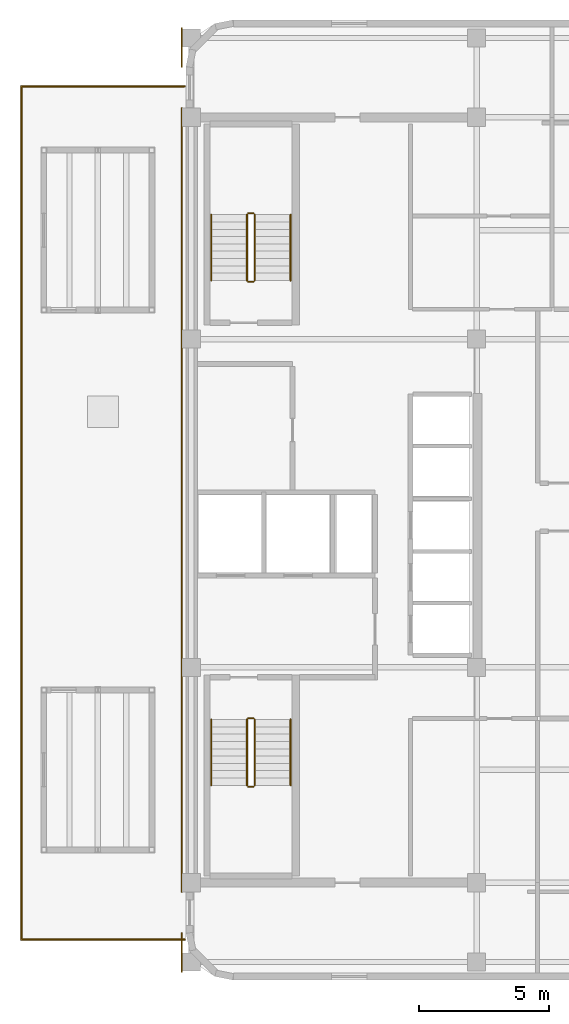
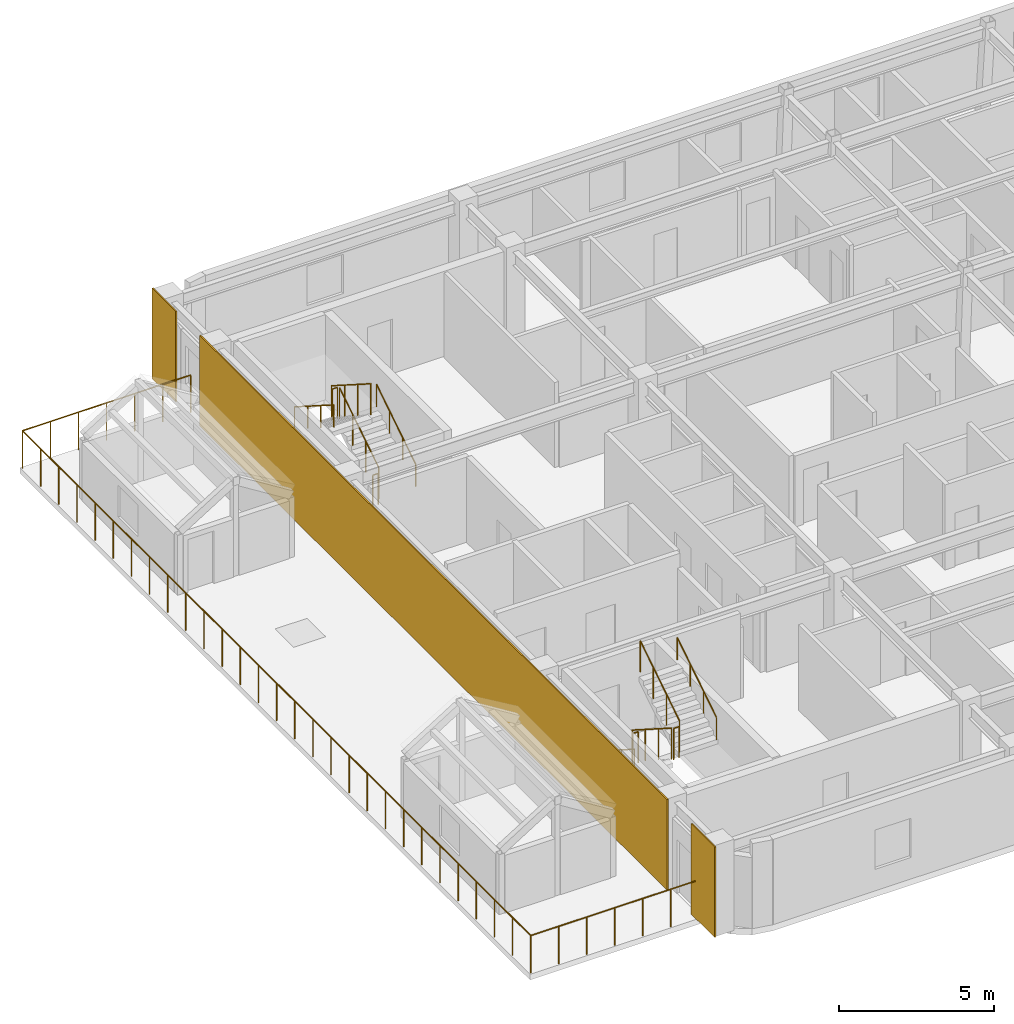
# One storey, part 13 of 13: 13 railings, 3 coverings.
"""IFC4 building model written with IfcOpenShell, lengths in metres."""

from ifc_helpers import new_model, si_unit, direction, frame, origin, origin_2d, place, context, subcontext, project, spatial, rectangle, circle, extrude, material, layer, layer_set, type_object, element, save


model = new_model("IFC4")

# Units and contexts
model_context = context("Model", 3, precision=1e-05, world=origin(), true_north=direction((0.0, 1.0)))
body_context = subcontext(model_context, "Body", "Model", "MODEL_VIEW")
ifc_project = project(units=[si_unit("LENGTHUNIT", "METRE"), si_unit("AREAUNIT", "SQUARE_METRE"), si_unit("VOLUMEUNIT", "CUBIC_METRE"), si_unit("PLANEANGLEUNIT", "RADIAN"), si_unit("MASSUNIT", "GRAM", prefix="KILO")], contexts=[model_context])

# Site, building, storey
site_placement = place(None, origin())
site = spatial("IfcSite", under=ifc_project, at=site_placement, CompositionType="ELEMENT")
building_placement = place(site_placement, origin())
building = spatial("IfcBuilding", under=site, at=building_placement, Name="Ochreholt Gables", CompositionType="ELEMENT")
storey_placement = place(building_placement, frame((0.0, 0.0, 205.800048828125)))
storey = spatial("IfcBuildingStorey", under=building, at=storey_placement, Name="L53", CompositionType="ELEMENT", Elevation=205.800048828125)

# Coverings
ifc_material_1 = material(Name="Glazed Ochre Terracotta Rainscreen Cladding", Category="masonry")
ifc_layer = layer(ifc_material_1, 0.044921875, Name="Glazed Ochre Terracotta Rainscreen Cladding")
ifc_layer_set = layer_set([ifc_layer], Name="Glazed Ochre Terracotta Rainscreen Cladding")
covering_type = type_object("IfcCoveringType", Name="COV-CLAD-TC", PredefinedType="CLADDING", material=ifc_layer_set)
covering_placement = place(storey_placement, frame((23.827880859375, 24.0, 0.010009765625), z_axis=(0.0, 0.0, 1.0), x_axis=(0.0, 1.0, 0.0)))
element("IfcCovering", 1, at=covering_placement, inside=storey, type_object=covering_type, Name="L53 West Core Terracotta Rainscreen Cladding", PredefinedType="CLADDING", context=body_context, shape_type="SweptSolid", body=[
    extrude(rectangle(XDim=30.239990234375, YDim=0.044921875, at=origin_2d()), origin(), (0.0, 0.0, 1.0), 3.580078125),
])
for number, where, z_axis, x_axis, name in (
    (2, (23.827880859375, 6.56005859375, 0.010009765625), (0.0, 0.0, 1.0), (0.0, 1.0, 0.0), "L53 South-West Pier Terracotta Cladding"),
    (3, (23.827880859375, 41.43994140625, 0.010009765625), (0.0, 0.0, 1.0), (0.0, 1.0, 0.0), "L53 North-West Pier Terracotta Cladding"),
):
    element("IfcCovering", number, at=place(storey_placement, frame(where, z_axis=z_axis, x_axis=x_axis)), inside=storey, type_object=covering_type, Name=name, PredefinedType="CLADDING", context=body_context, shape_type="SweptSolid", body=[
        extrude(rectangle(XDim=1.52001953125, YDim=0.044921875, at=origin_2d()), origin(), (0.0, 0.0, 1.0), 3.580078125),
    ])

# Railings
ifc_material_2 = material(Name="Painted Steel Stair Guardrail", Category="steel")
railing_type_1 = type_object("IfcRailingType", Name="RL-ST-GUARD", PredefinedType="GUARDRAIL", material=ifc_material_2)
railing_1_placement = place(storey_placement, frame((26.35009765625, 15.5400390625, 0.179931640625)))
element("IfcRailing", 4, at=railing_1_placement, inside=storey, type_object=railing_type_1, Name="L53 ST-1 stair guard 1", PredefinedType="GUARDRAIL", context=body_context, shape_type="SweptSolid", body=[
    extrude(circle(Radius=0.02392578125, at=origin_2d()), frame((0.0, 0.0, 1.22607421875), z_axis=(0.0, -0.842912820907, 0.538050161556), x_axis=(1.0, 0.0, 0.0)), (0.0, 0.0, 1.0), 3.010986328125),
    extrude(circle(Radius=0.02099609375, at=origin_2d()), origin(), (0.0, 0.0, 1.0), 1.201904296875),
    extrude(circle(Radius=0.02099609375, at=origin_2d()), frame((0.0, -0.845947265625, 0.5400390625)), (0.0, 0.0, 1.0), 1.201904296875),
    extrude(circle(Radius=0.02099609375, at=origin_2d()), frame((0.0, -1.692138671875, 1.080078125)), (0.0, 0.0, 1.0), 1.201904296875),
    extrude(circle(Radius=0.02099609375, at=origin_2d()), frame((0.0, -2.5380859375, 1.6201171875)), (0.0, 0.0, 1.0), 1.201904296875),
])
railing_2_placement = place(storey_placement, frame((26.39990234375, 12.951904296875, 1.800048828125)))
element("IfcRailing", 5, at=railing_2_placement, inside=storey, type_object=railing_type_1, Name="L53 ST-1 stair guard 2", PredefinedType="GUARDRAIL", context=body_context, shape_type="SweptSolid", body=[
    extrude(circle(Radius=0.02392578125, at=origin_2d()), frame((0.0, 0.0, 1.22607421875), z_axis=(1.0, 0.0, 0.0), x_axis=(0.0, 1.0, 0.0)), (0.0, 0.0, 1.0), 0.2001953125),
    extrude(circle(Radius=0.02099609375, at=origin_2d()), origin(), (0.0, 0.0, 1.0), 1.201904296875),
    extrude(circle(Radius=0.02099609375, at=origin_2d()), frame((0.2001953125, 0.0, 0.0)), (0.0, 0.0, 1.0), 1.201904296875),
])
railing_3_placement = place(storey_placement, frame((26.64990234375, 13.001953125, 1.97998046875)))
element("IfcRailing", 6, at=railing_3_placement, inside=storey, type_object=railing_type_1, Name="L53 ST-1 stair guard 3", PredefinedType="GUARDRAIL", context=body_context, shape_type="SweptSolid", body=[
    extrude(circle(Radius=0.02392578125, at=origin_2d()), frame((0.0, 0.0, 1.22607421875), z_axis=(0.0, 0.842949592929, 0.537992549931), x_axis=(-1.0, 0.0, 0.0)), (0.0, 0.0, 1.0), 3.010986328125),
    extrude(circle(Radius=0.02099609375, at=origin_2d()), origin(), (0.0, 0.0, 1.0), 1.201904296875),
    extrude(circle(Radius=0.02099609375, at=origin_2d()), frame((0.0, 0.845947265625, 0.5400390625)), (0.0, 0.0, 1.0), 1.201904296875),
    extrude(circle(Radius=0.02099609375, at=origin_2d()), frame((0.0, 1.692138671875, 1.079833984375)), (0.0, 0.0, 1.0), 1.201904296875),
    extrude(circle(Radius=0.02099609375, at=origin_2d()), frame((0.0, 2.5380859375, 1.619873046875)), (0.0, 0.0, 1.0), 1.201904296875),
])
railing_4_placement = place(storey_placement, frame((26.39990234375, 15.590087890625, 0.0)))
element("IfcRailing", 7, at=railing_4_placement, inside=storey, type_object=railing_type_1, Name="L53 ST-1 stair guard 4", PredefinedType="GUARDRAIL", context=body_context, shape_type="SweptSolid", body=[
    extrude(circle(Radius=0.02392578125, at=origin_2d()), frame((0.0, 0.0, 1.22607421875), z_axis=(1.0, 0.0, 0.0), x_axis=(0.0, 1.0, 0.0)), (0.0, 0.0, 1.0), 0.2001953125),
    extrude(circle(Radius=0.02099609375, at=origin_2d()), origin(), (0.0, 0.0, 1.0), 1.201904296875),
    extrude(circle(Radius=0.02099609375, at=origin_2d()), frame((0.2001953125, 0.0, 0.0)), (0.0, 0.0, 1.0), 1.201904296875),
])
railing_5_placement = place(storey_placement, frame((26.64990234375, 32.4599609375, 0.179931640625)))
element("IfcRailing", 8, at=railing_5_placement, inside=storey, type_object=railing_type_1, Name="L53 ST-2 stair guard 1", PredefinedType="GUARDRAIL", context=body_context, shape_type="SweptSolid", body=[
    extrude(circle(Radius=0.02392578125, at=origin_2d()), frame((0.0, 0.0, 1.22607421875), z_axis=(0.0, 0.842912820907, 0.538050161556), x_axis=(-1.0, 0.0, 0.0)), (0.0, 0.0, 1.0), 3.010986328125),
    extrude(circle(Radius=0.02099609375, at=origin_2d()), origin(), (0.0, 0.0, 1.0), 1.201904296875),
    extrude(circle(Radius=0.02099609375, at=origin_2d()), frame((0.0, 0.845947265625, 0.5400390625)), (0.0, 0.0, 1.0), 1.201904296875),
    extrude(circle(Radius=0.02099609375, at=origin_2d()), frame((0.0, 1.692138671875, 1.080078125)), (0.0, 0.0, 1.0), 1.201904296875),
    extrude(circle(Radius=0.02099609375, at=origin_2d()), frame((0.0, 2.5380859375, 1.6201171875)), (0.0, 0.0, 1.0), 1.201904296875),
])
railing_6_placement = place(storey_placement, frame((26.60009765625, 35.048095703125, 1.800048828125)))
element("IfcRailing", 9, at=railing_6_placement, inside=storey, type_object=railing_type_1, Name="L53 ST-2 stair guard 2", PredefinedType="GUARDRAIL", context=body_context, shape_type="SweptSolid", body=[
    extrude(circle(Radius=0.02392578125, at=origin_2d()), frame((0.0, 0.0, 1.22607421875), z_axis=(-1.0, 0.0, 0.0), x_axis=(0.0, -1.0, 0.0)), (0.0, 0.0, 1.0), 0.2001953125),
    extrude(circle(Radius=0.02099609375, at=origin_2d()), origin(), (0.0, 0.0, 1.0), 1.201904296875),
    extrude(circle(Radius=0.02099609375, at=origin_2d()), frame((-0.2001953125, 0.0, 0.0)), (0.0, 0.0, 1.0), 1.201904296875),
])
railing_7_placement = place(storey_placement, frame((26.35009765625, 34.998046875, 1.97998046875)))
element("IfcRailing", 10, at=railing_7_placement, inside=storey, type_object=railing_type_1, Name="L53 ST-2 stair guard 3", PredefinedType="GUARDRAIL", context=body_context, shape_type="SweptSolid", body=[
    extrude(circle(Radius=0.02392578125, at=origin_2d()), frame((0.0, 0.0, 1.22607421875), z_axis=(0.0, -0.842949592929, 0.537992549931), x_axis=(1.0, 0.0, 0.0)), (0.0, 0.0, 1.0), 3.010986328125),
    extrude(circle(Radius=0.02099609375, at=origin_2d()), origin(), (0.0, 0.0, 1.0), 1.201904296875),
    extrude(circle(Radius=0.02099609375, at=origin_2d()), frame((0.0, -0.845947265625, 0.5400390625)), (0.0, 0.0, 1.0), 1.201904296875),
    extrude(circle(Radius=0.02099609375, at=origin_2d()), frame((0.0, -1.692138671875, 1.079833984375)), (0.0, 0.0, 1.0), 1.201904296875),
    extrude(circle(Radius=0.02099609375, at=origin_2d()), frame((0.0, -2.5380859375, 1.619873046875)), (0.0, 0.0, 1.0), 1.201904296875),
])
railing_8_placement = place(storey_placement, frame((26.60009765625, 32.409912109375, 0.0)))
element("IfcRailing", 11, at=railing_8_placement, inside=storey, type_object=railing_type_1, Name="L53 ST-2 stair guard 4", PredefinedType="GUARDRAIL", context=body_context, shape_type="SweptSolid", body=[
    extrude(circle(Radius=0.02392578125, at=origin_2d()), frame((0.0, 0.0, 1.22607421875), z_axis=(-1.0, 0.0, 0.0), x_axis=(0.0, -1.0, 0.0)), (0.0, 0.0, 1.0), 0.2001953125),
    extrude(circle(Radius=0.02099609375, at=origin_2d()), origin(), (0.0, 0.0, 1.0), 1.201904296875),
    extrude(circle(Radius=0.02099609375, at=origin_2d()), frame((-0.2001953125, 0.0, 0.0)), (0.0, 0.0, 1.0), 1.201904296875),
])
ifc_material_3 = material(Name="Brushed Stainless Steel Wall Handrail", Category="steel")
railing_type_2 = type_object("IfcRailingType", Name="RL-ST-HAND", PredefinedType="HANDRAIL", material=ifc_material_3)
railing_9_placement = place(storey_placement, frame((24.969970703125, 15.5400390625, 0.179931640625)))
element("IfcRailing", 12, at=railing_9_placement, inside=storey, type_object=railing_type_2, Name="L53 ST-1 stair handrail 1", PredefinedType="HANDRAIL", context=body_context, shape_type="SweptSolid", body=[
    extrude(circle(Radius=0.02392578125, at=origin_2d()), frame((0.0, 0.0, 0.8759765625), z_axis=(0.0, -0.842912820907, 0.538050161556), x_axis=(1.0, 0.0, 0.0)), (0.0, 0.0, 1.0), 3.010986328125),
    extrude(circle(Radius=0.02099609375, at=origin_2d()), origin(), (0.0, 0.0, 1.0), 0.851806640625),
    extrude(circle(Radius=0.02099609375, at=origin_2d()), frame((0.0, -0.845947265625, 0.5400390625)), (0.0, 0.0, 1.0), 0.851806640625),
    extrude(circle(Radius=0.02099609375, at=origin_2d()), frame((0.0, -1.692138671875, 1.080078125)), (0.0, 0.0, 1.0), 0.851806640625),
    extrude(circle(Radius=0.02099609375, at=origin_2d()), frame((0.0, -2.5380859375, 1.6201171875)), (0.0, 0.0, 1.0), 0.851806640625),
])
railing_10_placement = place(storey_placement, frame((28.030029296875, 13.001953125, 1.97998046875)))
element("IfcRailing", 13, at=railing_10_placement, inside=storey, type_object=railing_type_2, Name="L53 ST-1 stair handrail 2", PredefinedType="HANDRAIL", context=body_context, shape_type="SweptSolid", body=[
    extrude(circle(Radius=0.02392578125, at=origin_2d()), frame((0.0, 0.0, 0.8759765625), z_axis=(0.0, 0.842949592929, 0.537992549931), x_axis=(-1.0, 0.0, 0.0)), (0.0, 0.0, 1.0), 3.010986328125),
    extrude(circle(Radius=0.02099609375, at=origin_2d()), origin(), (0.0, 0.0, 1.0), 0.851806640625),
    extrude(circle(Radius=0.02099609375, at=origin_2d()), frame((0.0, 0.845947265625, 0.5400390625)), (0.0, 0.0, 1.0), 0.851806640625),
    extrude(circle(Radius=0.02099609375, at=origin_2d()), frame((0.0, 1.692138671875, 1.079833984375)), (0.0, 0.0, 1.0), 0.851806640625),
    extrude(circle(Radius=0.02099609375, at=origin_2d()), frame((0.0, 2.5380859375, 1.619873046875)), (0.0, 0.0, 1.0), 0.851806640625),
])
railing_11_placement = place(storey_placement, frame((28.030029296875, 32.4599609375, 0.179931640625)))
element("IfcRailing", 14, at=railing_11_placement, inside=storey, type_object=railing_type_2, Name="L53 ST-2 stair handrail 1", PredefinedType="HANDRAIL", context=body_context, shape_type="SweptSolid", body=[
    extrude(circle(Radius=0.02392578125, at=origin_2d()), frame((0.0, 0.0, 0.8759765625), z_axis=(0.0, 0.842912820907, 0.538050161556), x_axis=(-1.0, 0.0, 0.0)), (0.0, 0.0, 1.0), 3.010986328125),
    extrude(circle(Radius=0.02099609375, at=origin_2d()), origin(), (0.0, 0.0, 1.0), 0.851806640625),
    extrude(circle(Radius=0.02099609375, at=origin_2d()), frame((0.0, 0.845947265625, 0.5400390625)), (0.0, 0.0, 1.0), 0.851806640625),
    extrude(circle(Radius=0.02099609375, at=origin_2d()), frame((0.0, 1.692138671875, 1.080078125)), (0.0, 0.0, 1.0), 0.851806640625),
    extrude(circle(Radius=0.02099609375, at=origin_2d()), frame((0.0, 2.5380859375, 1.6201171875)), (0.0, 0.0, 1.0), 0.851806640625),
])
railing_12_placement = place(storey_placement, frame((24.969970703125, 34.998046875, 1.97998046875)))
element("IfcRailing", 15, at=railing_12_placement, inside=storey, type_object=railing_type_2, Name="L53 ST-2 stair handrail 2", PredefinedType="HANDRAIL", context=body_context, shape_type="SweptSolid", body=[
    extrude(circle(Radius=0.02392578125, at=origin_2d()), frame((0.0, 0.0, 0.8759765625), z_axis=(0.0, -0.842949592929, 0.537992549931), x_axis=(1.0, 0.0, 0.0)), (0.0, 0.0, 1.0), 3.010986328125),
    extrude(circle(Radius=0.02099609375, at=origin_2d()), origin(), (0.0, 0.0, 1.0), 0.851806640625),
    extrude(circle(Radius=0.02099609375, at=origin_2d()), frame((0.0, -0.845947265625, 0.5400390625)), (0.0, 0.0, 1.0), 0.851806640625),
    extrude(circle(Radius=0.02099609375, at=origin_2d()), frame((0.0, -1.692138671875, 1.079833984375)), (0.0, 0.0, 1.0), 0.851806640625),
    extrude(circle(Radius=0.02099609375, at=origin_2d()), frame((0.0, -2.5380859375, 1.619873046875)), (0.0, 0.0, 1.0), 0.851806640625),
])
ifc_material_4 = material(Name="High-Wind Laminated Glass and Steel Guardrail", Category="steel")
railing_type_3 = type_object("IfcRailingType", Name="RL-TER-1500", PredefinedType="GUARDRAIL", material=ifc_material_4)
railing_13_placement = place(storey_placement, frame((23.939697265625, 39.93994140625, 0.0)))
element("IfcRailing", 16, at=railing_13_placement, inside=storey, type_object=railing_type_3, Name="L53 Terrace Perimeter Guardrail TR-L53-W", PredefinedType="GUARDRAIL", context=body_context, shape_type="SweptSolid", body=[
    extrude(circle(Radius=0.02392578125, at=origin_2d()), frame((0.0, 0.0, 1.47607421875), z_axis=(-1.0, 0.0, 0.0), x_axis=(0.0, -1.0, 0.0)), (0.0, 0.0, 1.0), 6.27978515625),
    extrude(circle(Radius=0.02392578125, at=origin_2d()), frame((-6.27978515625, 0.0, 1.47607421875), z_axis=(0.0, -1.0, 0.0), x_axis=(1.0, 0.0, 0.0)), (0.0, 0.0, 1.0), 32.8798828125),
    extrude(circle(Radius=0.02392578125, at=origin_2d()), frame((-6.27978515625, -32.8798828125, 1.47607421875), z_axis=(1.0, 0.0, 0.0), x_axis=(0.0, 1.0, 0.0)), (0.0, 0.0, 1.0), 6.27978515625),
    extrude(circle(Radius=0.02099609375, at=origin_2d()), origin(), (0.0, 0.0, 1.0), 1.451904296875),
    extrude(circle(Radius=0.02099609375, at=origin_2d()), frame((-1.046630859375, 0.0, 0.0)), (0.0, 0.0, 1.0), 1.451904296875),
    extrude(circle(Radius=0.02099609375, at=origin_2d()), frame((-2.09326171875, 0.0, 0.0)), (0.0, 0.0, 1.0), 1.451904296875),
    extrude(circle(Radius=0.02099609375, at=origin_2d()), frame((-3.139892578125, 0.0, 0.0)), (0.0, 0.0, 1.0), 1.451904296875),
    extrude(circle(Radius=0.02099609375, at=origin_2d()), frame((-4.1865234375, 0.0, 0.0)), (0.0, 0.0, 1.0), 1.451904296875),
    extrude(circle(Radius=0.02099609375, at=origin_2d()), frame((-5.233154296875, 0.0, 0.0)), (0.0, 0.0, 1.0), 1.451904296875),
    extrude(circle(Radius=0.02099609375, at=origin_2d()), frame((-6.27978515625, 0.0, 0.0)), (0.0, 0.0, 1.0), 1.451904296875),
    extrude(circle(Radius=0.02099609375, at=origin_2d()), frame((-6.27978515625, -1.17431640625, 0.0)), (0.0, 0.0, 1.0), 1.451904296875),
    extrude(circle(Radius=0.02099609375, at=origin_2d()), frame((-6.27978515625, -2.3486328125, 0.0)), (0.0, 0.0, 1.0), 1.451904296875),
    extrude(circle(Radius=0.02099609375, at=origin_2d()), frame((-6.27978515625, -3.52294921875, 0.0)), (0.0, 0.0, 1.0), 1.451904296875),
    extrude(circle(Radius=0.02099609375, at=origin_2d()), frame((-6.27978515625, -4.697021484375, 0.0)), (0.0, 0.0, 1.0), 1.451904296875),
    extrude(circle(Radius=0.02099609375, at=origin_2d()), frame((-6.27978515625, -5.871337890625, 0.0)), (0.0, 0.0, 1.0), 1.451904296875),
    extrude(circle(Radius=0.02099609375, at=origin_2d()), frame((-6.27978515625, -7.045654296875, 0.0)), (0.0, 0.0, 1.0), 1.451904296875),
    extrude(circle(Radius=0.02099609375, at=origin_2d()), frame((-6.27978515625, -8.219970703125, 0.0)), (0.0, 0.0, 1.0), 1.451904296875),
    extrude(circle(Radius=0.02099609375, at=origin_2d()), frame((-6.27978515625, -9.394287109375, 0.0)), (0.0, 0.0, 1.0), 1.451904296875),
    extrude(circle(Radius=0.02099609375, at=origin_2d()), frame((-6.27978515625, -10.568603515625, 0.0)), (0.0, 0.0, 1.0), 1.451904296875),
    extrude(circle(Radius=0.02099609375, at=origin_2d()), frame((-6.27978515625, -11.742919921875, 0.0)), (0.0, 0.0, 1.0), 1.451904296875),
    extrude(circle(Radius=0.02099609375, at=origin_2d()), frame((-6.27978515625, -12.9169921875, 0.0)), (0.0, 0.0, 1.0), 1.451904296875),
    extrude(circle(Radius=0.02099609375, at=origin_2d()), frame((-6.27978515625, -14.09130859375, 0.0)), (0.0, 0.0, 1.0), 1.451904296875),
    extrude(circle(Radius=0.02099609375, at=origin_2d()), frame((-6.27978515625, -15.265625, 0.0)), (0.0, 0.0, 1.0), 1.451904296875),
    extrude(circle(Radius=0.02099609375, at=origin_2d()), frame((-6.27978515625, -16.43994140625, 0.0)), (0.0, 0.0, 1.0), 1.451904296875),
    extrude(circle(Radius=0.02099609375, at=origin_2d()), frame((-6.27978515625, -17.6142578125, 0.0)), (0.0, 0.0, 1.0), 1.451904296875),
    extrude(circle(Radius=0.02099609375, at=origin_2d()), frame((-6.27978515625, -18.78857421875, 0.0)), (0.0, 0.0, 1.0), 1.451904296875),
    extrude(circle(Radius=0.02099609375, at=origin_2d()), frame((-6.27978515625, -19.962890625, 0.0)), (0.0, 0.0, 1.0), 1.451904296875),
    extrude(circle(Radius=0.02099609375, at=origin_2d()), frame((-6.27978515625, -21.136962890625, 0.0)), (0.0, 0.0, 1.0), 1.451904296875),
    extrude(circle(Radius=0.02099609375, at=origin_2d()), frame((-6.27978515625, -22.311279296875, 0.0)), (0.0, 0.0, 1.0), 1.451904296875),
    extrude(circle(Radius=0.02099609375, at=origin_2d()), frame((-6.27978515625, -23.485595703125, 0.0)), (0.0, 0.0, 1.0), 1.451904296875),
    extrude(circle(Radius=0.02099609375, at=origin_2d()), frame((-6.27978515625, -24.659912109375, 0.0)), (0.0, 0.0, 1.0), 1.451904296875),
    extrude(circle(Radius=0.02099609375, at=origin_2d()), frame((-6.27978515625, -25.834228515625, 0.0)), (0.0, 0.0, 1.0), 1.451904296875),
    extrude(circle(Radius=0.02099609375, at=origin_2d()), frame((-6.27978515625, -27.008544921875, 0.0)), (0.0, 0.0, 1.0), 1.451904296875),
    extrude(circle(Radius=0.02099609375, at=origin_2d()), frame((-6.27978515625, -28.182861328125, 0.0)), (0.0, 0.0, 1.0), 1.451904296875),
    extrude(circle(Radius=0.02099609375, at=origin_2d()), frame((-6.27978515625, -29.35693359375, 0.0)), (0.0, 0.0, 1.0), 1.451904296875),
    extrude(circle(Radius=0.02099609375, at=origin_2d()), frame((-6.27978515625, -30.53125, 0.0)), (0.0, 0.0, 1.0), 1.451904296875),
    extrude(circle(Radius=0.02099609375, at=origin_2d()), frame((-6.27978515625, -31.70556640625, 0.0)), (0.0, 0.0, 1.0), 1.451904296875),
    extrude(circle(Radius=0.02099609375, at=origin_2d()), frame((-6.27978515625, -32.8798828125, 0.0)), (0.0, 0.0, 1.0), 1.451904296875),
    extrude(circle(Radius=0.02099609375, at=origin_2d()), frame((-5.233154296875, -32.8798828125, 0.0)), (0.0, 0.0, 1.0), 1.451904296875),
    extrude(circle(Radius=0.02099609375, at=origin_2d()), frame((-4.1865234375, -32.8798828125, 0.0)), (0.0, 0.0, 1.0), 1.451904296875),
    extrude(circle(Radius=0.02099609375, at=origin_2d()), frame((-3.139892578125, -32.8798828125, 0.0)), (0.0, 0.0, 1.0), 1.451904296875),
    extrude(circle(Radius=0.02099609375, at=origin_2d()), frame((-2.09326171875, -32.8798828125, 0.0)), (0.0, 0.0, 1.0), 1.451904296875),
    extrude(circle(Radius=0.02099609375, at=origin_2d()), frame((-1.046630859375, -32.8798828125, 0.0)), (0.0, 0.0, 1.0), 1.451904296875),
    extrude(circle(Radius=0.02099609375, at=origin_2d()), frame((0.0, -32.8798828125, 0.0)), (0.0, 0.0, 1.0), 1.451904296875),
])

save(model, "model.ifc")
